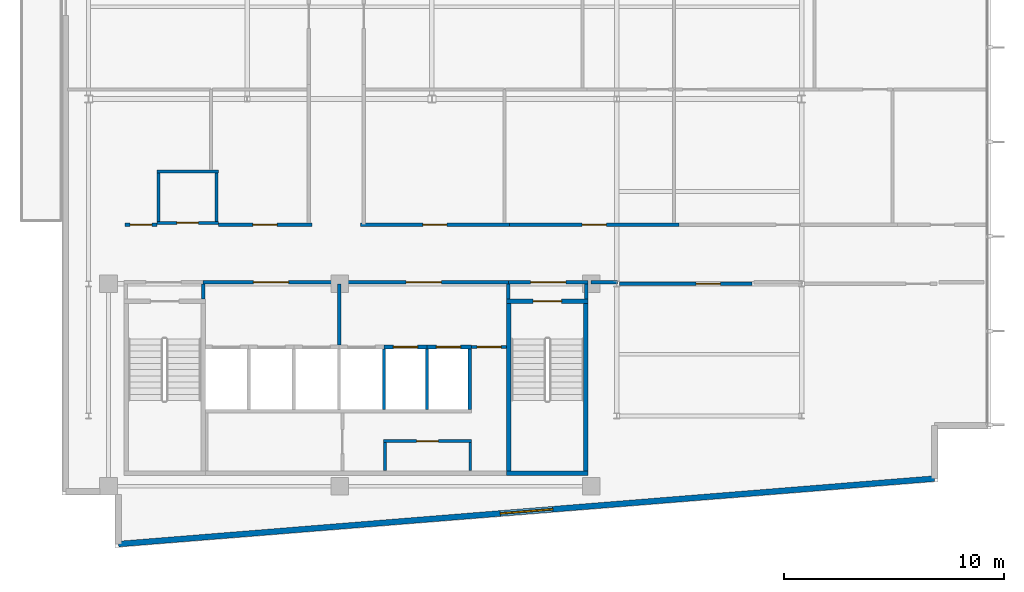
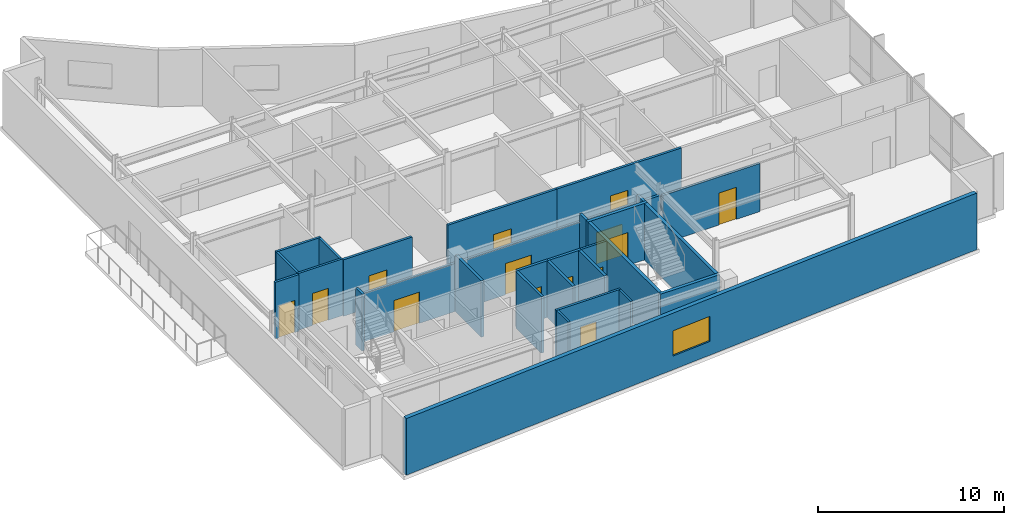
# One storey, part 11 of 16: 31 walls, 14 doors, 1 window, 15 openings.
"""IFC4 building model written with IfcOpenShell, lengths in metres."""

from ifc_helpers import new_model, si_unit, direction, frame, frame_2d, origin, place, context, subcontext, project, spatial, rectangle, extrude, material, layer, layer_set, type_object, element, fill, save


model = new_model("IFC4")

# Units and contexts
model_context = context("Model", 3, precision=1e-05, world=origin(), true_north=direction((0.0, 1.0)))
body_context = subcontext(model_context, "Body", "Model", "MODEL_VIEW")
ifc_project = project(units=[si_unit("LENGTHUNIT", "METRE"), si_unit("AREAUNIT", "SQUARE_METRE"), si_unit("VOLUMEUNIT", "CUBIC_METRE"), si_unit("PLANEANGLEUNIT", "RADIAN"), si_unit("MASSUNIT", "GRAM", prefix="KILO")], contexts=[model_context])

# Site, building, storey
site_placement = place(None, origin())
site = spatial("IfcSite", under=ifc_project, at=site_placement, CompositionType="ELEMENT")
building_placement = place(site_placement, origin())
building = spatial("IfcBuilding", under=site, at=building_placement, Name="Varnakote Quay Hospital", CompositionType="ELEMENT")
storey_placement = place(building_placement, frame((0.0, 0.0, 268.39990234375)))
storey = spatial("IfcBuildingStorey", under=building, at=storey_placement, Name="L66", CompositionType="ELEMENT", Elevation=268.39990234375)

# Wall
ifc_material_1 = material(Name="Fire-rated acoustic gypsum stud wall", Category="gypsum")
ifc_layer_1 = layer(ifc_material_1, 0.159912109375)
ifc_layer_set_1 = layer_set([ifc_layer_1], Name="Fire-rated acoustic gypsum stud wall")
wall_type_1 = type_object("IfcWallType", Name="WL-COMP-160", PredefinedType="PARTITIONING", material=ifc_layer_set_1)
wall_1_placement = place(storey_placement, frame((6.39990234375, 11.300048828125, 0.0), z_axis=(0.0, 0.0, 1.0), x_axis=(0.0, 1.0, 0.0)))
element("IfcWall", 1, at=wall_1_placement, inside=storey, type_object=wall_type_1, Name="L66 Firefighting Lobby West Wall", PredefinedType="PARTITIONING", context=body_context, shape_type="SweptSolid", body=[
    extrude(rectangle(XDim=0.699951171875, YDim=0.159912109375, at=frame_2d((0.35009765625, 0.0))), origin(), (0.0, 0.0, 1.0), 3.710205078125),
])

# Wall, opening, door
wall_2_placement = place(storey_placement, frame((6.39990234375, 12.080078125, 0.0), z_axis=(0.0, 0.0, 1.0), x_axis=(1.0, 0.0, 0.0)))
wall_2 = element("IfcWall", 2, at=wall_2_placement, inside=storey, type_object=wall_type_1, Name="L66 Firefighting Lift Lobby Compartment Wall", PredefinedType="PARTITIONING", context=body_context, shape_type="SweptSolid", body=[
    extrude(rectangle(XDim=6.18017578125, YDim=0.159912109375, at=frame_2d((3.090087890625, 0.0))), origin(), (0.0, 0.0, 1.0), 3.156982421875),
])
opening_1_placement = place(wall_2_placement, frame((2.2900390625, 0.0, 0.0)))
opening_1 = element("IfcOpeningElement", 3, at=opening_1_placement, cuts=wall_2, Name="Opening D-FFL-L66", PredefinedType="OPENING", context=body_context, shape_type="SweptSolid", body=[
    extrude(rectangle(XDim=1.60009765625, YDim=2.050048828125, at=frame_2d((0.800048828125, 1.02490234375))), frame((0.0, 0.08984375, 0.0), z_axis=(0.0, -1.0, 0.0), x_axis=(1.0, 0.0, 0.0)), (0.0, 0.0, 1.0), 0.179931640625),
])
ifc_material_2 = material(Name="Fire-rated double smoke lobby door")
door_type_1 = type_object("IfcDoorType", Name="DR-LOBBY-FD60S-1600x2150", OperationType="NOTDEFINED", PredefinedType="DOOR", material=ifc_material_2)
door_1_placement = place(opening_1_placement, origin())
door_1 = element("IfcDoor", 4, at=door_1_placement, inside=storey, type_object=door_type_1, Name="L66 Firefighting Smoke Vestibule Door", OperationType="DOUBLE_DOOR_SINGLE_SWING", OverallHeight=2.050048828125, OverallWidth=1.60009765625, PredefinedType="DOOR", context=body_context, shape_type="SweptSolid", body=[
    extrude(rectangle(XDim=1.60009765625, YDim=2.050048828125, at=frame_2d((0.800048828125, 1.02490234375))), frame((0.0, 0.02490234375, 0.0), z_axis=(0.0, -1.0, 0.0), x_axis=(1.0, 0.0, 0.0)), (0.0, 0.0, 1.0), 0.050048828125),
])
fill(opening_1, door_1)

# Wall
wall_3_placement = place(storey_placement, frame((12.580078125, 9.2099609375, 0.0), z_axis=(0.0, 0.0, 1.0), x_axis=(0.0, 1.0, 0.0)))
element("IfcWall", 5, at=wall_3_placement, inside=storey, type_object=wall_type_1, Name="L66 Firefighting to Service Lobby Wall", PredefinedType="PARTITIONING", context=body_context, shape_type="SweptSolid", body=[
    extrude(rectangle(XDim=2.7900390625, YDim=0.159912109375, at=frame_2d((1.39501953125, 0.0))), origin(), (0.0, 0.0, 1.0), 3.710205078125),
])

# Wall, opening, door
wall_4_placement = place(storey_placement, frame((12.580078125, 12.080078125, 0.0), z_axis=(0.0, 0.0, 1.0), x_axis=(1.0, 0.0, 0.0)))
wall_4 = element("IfcWall", 6, at=wall_4_placement, inside=storey, type_object=wall_type_1, Name="L66 Clinical Bed Lift Lobby Wall", PredefinedType="PARTITIONING", context=body_context, shape_type="SweptSolid", body=[
    extrude(rectangle(XDim=7.699951171875, YDim=0.159912109375, at=frame_2d((3.85009765625, 0.0))), origin(), (0.0, 0.0, 1.0), 3.156982421875),
])
opening_2_placement = place(wall_4_placement, frame((3.050048828125, 0.0, 0.0)))
opening_2 = element("IfcOpeningElement", 7, at=opening_2_placement, cuts=wall_4, Name="Opening D-SVL-L66", PredefinedType="OPENING", context=body_context, shape_type="SweptSolid", body=[
    extrude(rectangle(XDim=1.60009765625, YDim=2.050048828125, at=frame_2d((0.800048828125, 1.02490234375))), frame((0.0, 0.08984375, 0.0), z_axis=(0.0, -1.0, 0.0), x_axis=(1.0, 0.0, 0.0)), (0.0, 0.0, 1.0), 0.179931640625),
])
door_2_placement = place(opening_2_placement, origin())
door_2 = element("IfcDoor", 8, at=door_2_placement, inside=storey, type_object=door_type_1, Name="L66 Clinical Core Smoke Vestibule Door", OperationType="DOUBLE_DOOR_SINGLE_SWING", OverallHeight=2.050048828125, OverallWidth=1.60009765625, PredefinedType="DOOR", context=body_context, shape_type="SweptSolid", body=[
    extrude(rectangle(XDim=1.60009765625, YDim=2.050048828125, at=frame_2d((0.800048828125, 1.02490234375))), frame((0.0, 0.02490234375, 0.0), z_axis=(0.0, -1.0, 0.0), x_axis=(1.0, 0.0, 0.0)), (0.0, 0.0, 1.0), 0.050048828125),
])
fill(opening_2, door_2)

# Wall
wall_5_placement = place(storey_placement, frame((20.280029296875, 11.300048828125, 0.0), z_axis=(0.0, 0.0, 1.0), x_axis=(0.0, 1.0, 0.0)))
element("IfcWall", 9, at=wall_5_placement, inside=storey, type_object=wall_type_1, Name="L66 East Stair Vestibule Divider Wall", PredefinedType="PARTITIONING", context=body_context, shape_type="SweptSolid", body=[
    extrude(rectangle(XDim=0.699951171875, YDim=0.159912109375, at=frame_2d((0.35009765625, 0.0))), origin(), (0.0, 0.0, 1.0), 3.710205078125),
])

# Wall, opening, door
wall_6_placement = place(storey_placement, frame((20.280029296875, 12.080078125, 0.0), z_axis=(0.0, 0.0, 1.0), x_axis=(1.0, 0.0, 0.0)))
wall_6 = element("IfcWall", 10, at=wall_6_placement, inside=storey, type_object=wall_type_1, Name="L66 East Stair Vestibule Smoke Wall", PredefinedType="PARTITIONING", context=body_context, shape_type="SweptSolid", body=[
    extrude(rectangle(XDim=3.619873046875, YDim=0.159912109375, at=frame_2d((1.81005859375, 0.0))), origin(), (0.0, 0.0, 1.0), 3.156982421875),
])
opening_3_placement = place(wall_6_placement, frame((1.010009765625, 0.0, 0.0)))
opening_3 = element("IfcOpeningElement", 11, at=opening_3_placement, cuts=wall_6, Name="Opening D-ST2L-L66", PredefinedType="OPENING", context=body_context, shape_type="SweptSolid", body=[
    extrude(rectangle(XDim=1.60009765625, YDim=2.050048828125, at=frame_2d((0.800048828125, 1.02490234375))), frame((0.0, 0.08984375, 0.0), z_axis=(0.0, -1.0, 0.0), x_axis=(1.0, 0.0, 0.0)), (0.0, 0.0, 1.0), 0.179931640625),
])
door_3_placement = place(opening_3_placement, origin())
door_3 = element("IfcDoor", 12, at=door_3_placement, inside=storey, type_object=door_type_1, Name="L66 East Stair Vestibule Smoke Door", OperationType="DOUBLE_DOOR_SINGLE_SWING", OverallHeight=2.050048828125, OverallWidth=1.60009765625, PredefinedType="DOOR", context=body_context, shape_type="SweptSolid", body=[
    extrude(rectangle(XDim=1.60009765625, YDim=2.050048828125, at=frame_2d((0.800048828125, 1.02490234375))), frame((0.0, 0.02490234375, 0.0), z_axis=(0.0, -1.0, 0.0), x_axis=(1.0, 0.0, 0.0)), (0.0, 0.0, 1.0), 0.050048828125),
])
fill(opening_3, door_3)

# Walls
wall_7_placement = place(storey_placement, frame((23.820068359375, 11.300048828125, 0.0), z_axis=(0.0, 0.0, 1.0), x_axis=(0.0, 1.0, 0.0)))
element("IfcWall", 13, at=wall_7_placement, inside=storey, type_object=wall_type_1, Name="L66 East Stair Vestibule East Wall", PredefinedType="PARTITIONING", context=body_context, shape_type="SweptSolid", body=[
    extrude(rectangle(XDim=0.699951171875, YDim=0.159912109375, at=frame_2d((0.35009765625, 0.0))), origin(), (0.0, 0.0, 1.0), 3.710205078125),
])
wall_8_placement = place(storey_placement, frame((24.02001953125, 12.080078125, 0.0), z_axis=(0.0, 0.0, 1.0), x_axis=(1.0, 0.0, 0.0)))
element("IfcWall", 14, at=wall_8_placement, inside=storey, type_object=wall_type_1, Name="L66 Corridor South Gap Wall", PredefinedType="PARTITIONING", context=body_context, shape_type="SweptSolid", body=[
    extrude(rectangle(XDim=1.2177734375, YDim=0.159912109375, at=frame_2d((0.60888671875, 0.0))), origin(), (0.0, 0.0, 1.0), 3.156982421875),
])

# Wall, opening, window
ifc_material_3 = material(Name="Precast concrete N50 (f'c 50 MPa)", Category="concrete")
ifc_layer_2 = layer(ifc_material_3, 0.260009765625)
ifc_layer_set_2 = layer_set([ifc_layer_2], Name="Precast concrete N50 (f'c 50 MPa)")
wall_type_2 = type_object("IfcWallType", Name="WL-EXT-BRICK-260", PredefinedType="STANDARD", material=ifc_layer_set_2)
wall_9_placement = place(storey_placement, frame((2.56005859375, 0.17333984375, 0.0), z_axis=(0.0, 0.0, 1.0), x_axis=(0.996798206282, 0.079958338856, 0.0)))
wall_9 = element("IfcWall", 15, at=wall_9_placement, inside=storey, type_object=wall_type_2, Name="L66 Brick-Faced Precast Exterior Wall", PredefinedType="STANDARD", context=body_context, shape_type="SweptSolid", body=[
    extrude(rectangle(XDim=37.198974609375, YDim=0.260009765625, at=frame_2d((18.599609375, 0.0))), origin(), (0.0, 0.0, 1.0), 3.710205078125),
])
opening_4_placement = place(wall_9_placement, frame((17.399658203125, 0.0, 0.89990234375)))
opening_4 = element("IfcOpeningElement", 16, at=opening_4_placement, cuts=wall_9, Name="Opening WN-0266", PredefinedType="OPENING", context=body_context, shape_type="SweptSolid", body=[
    extrude(rectangle(XDim=2.39990234375, YDim=1.64990234375, at=frame_2d((1.199951171875, 0.824951171875))), frame((0.0, 0.139892578125, 0.0), z_axis=(0.0, -1.0, 0.0), x_axis=(1.0, 0.0, 0.0)), (0.0, 0.0, 1.0), 0.280029296875),
])
ifc_material_4 = material(Name="Double-glazed low-E solar glass", Category="glass")
window_type = type_object("IfcWindowType", Name="WIN-CLIN-2400x1650", PartitioningType="SINGLE_PANEL", PredefinedType="WINDOW", material=ifc_material_4)
window_placement = place(opening_4_placement, origin())
window = element("IfcWindow", 17, at=window_placement, inside=storey, type_object=window_type, Name="L66 Solar-Control Clinical Window", OverallHeight=1.64990234375, OverallWidth=2.39990234375, PartitioningType="SINGLE_PANEL", PredefinedType="WINDOW", context=body_context, shape_type="SweptSolid", body=[
    extrude(rectangle(XDim=2.39990234375, YDim=1.64990234375, at=frame_2d((1.199951171875, 0.824951171875))), frame((0.0, 0.030029296875, 0.0), z_axis=(0.0, -1.0, 0.0), x_axis=(1.0, 0.0, 0.0)), (0.0, 0.0, 1.0), 0.06005859375),
])
fill(opening_4, window)

# Walls
ifc_material_5 = material(Name="Concrete N50 (f'c 50 MPa)", Category="concrete")
ifc_layer_3 = layer(ifc_material_5, 0.14990234375)
ifc_layer_set_3 = layer_set([ifc_layer_3], Name="Concrete N50 (f'c 50 MPa)")
wall_type_3 = type_object("IfcWallType", Name="WL-SHAFT-N50-150", PredefinedType="SHEAR", material=ifc_layer_set_3)
for number, where, z_axis, x_axis, name in (
    (18, (14.625, 6.300048828125, 0.0), (0.0, 0.0, 1.0), (0.0, 1.0, 0.0), "L66 LF-SV2 Hoistway Divider Wall"),
    (19, (16.574951171875, 6.300048828125, 0.0), (0.0, 0.0, 1.0), (0.0, 1.0, 0.0), "L66 LF-PH1 Hoistway Divider Wall"),
):
    element("IfcWall", number, at=place(storey_placement, frame(where, z_axis=z_axis, x_axis=x_axis)), inside=storey, type_object=wall_type_3, Name=name, PredefinedType="SHEAR", context=body_context, shape_type="SweptSolid", body=[
        extrude(rectangle(XDim=2.75, YDim=0.14990234375, at=frame_2d((1.375, 0.0))), origin(), (0.0, 0.0, 1.0), 3.710205078125),
    ])
ifc_material_6 = material(Name="Concrete N50 (f'c 50 MPa)", Category="concrete")
ifc_layer_4 = layer(ifc_material_6, 0.159912109375)
ifc_layer_set_4 = layer_set([ifc_layer_4], Name="Concrete N50 (f'c 50 MPa)")
wall_type_4 = type_object("IfcWallType", Name="WL-SHAFT-N50-160", PredefinedType="SHEAR", material=ifc_layer_set_4)
wall_10_placement = place(storey_placement, frame((18.530029296875, 6.300048828125, 0.0), z_axis=(0.0, 0.0, 1.0), x_axis=(0.0, 1.0, 0.0)))
element("IfcWall", 20, at=wall_10_placement, inside=storey, type_object=wall_type_4, Name="L66 REAR Lift Bank East Shear Wall", PredefinedType="SHEAR", context=body_context, shape_type="SweptSolid", body=[
    extrude(rectangle(XDim=2.75, YDim=0.159912109375, at=frame_2d((1.375, 0.0))), origin(), (0.0, 0.0, 1.0), 3.710205078125),
])

# Wall, opening, door
wall_11_placement = place(storey_placement, frame((14.625, 9.1298828125, 0.0), z_axis=(0.0, 0.0, 1.0), x_axis=(1.0, 0.0, 0.0)))
wall_11 = element("IfcWall", 21, at=wall_11_placement, inside=storey, type_object=wall_type_4, Name="L66 LF-PH1 Hoistway Front Wall", PredefinedType="SHEAR", context=body_context, shape_type="SweptSolid", body=[
    extrude(rectangle(XDim=1.949951171875, YDim=0.159912109375, at=frame_2d((0.97509765625, 0.0))), origin(), (0.0, 0.0, 1.0), 3.710205078125),
])
opening_5_placement = place(wall_11_placement, frame((0.425048828125, 0.0, 0.0)))
opening_5 = element("IfcOpeningElement", 22, at=opening_5_placement, cuts=wall_11, Name="Opening LD-PH1-L66", PredefinedType="OPENING", context=body_context, shape_type="SweptSolid", body=[
    extrude(rectangle(XDim=1.10009765625, YDim=2.14990234375, at=frame_2d((0.550048828125, 1.074951171875))), frame((0.0, 0.08984375, 0.0), z_axis=(0.0, -1.0, 0.0), x_axis=(1.0, 0.0, 0.0)), (0.0, 0.0, 1.0), 0.179931640625),
])
ifc_material_7 = material(Name="Brushed bronze lift landing sliding door")
door_type_2 = type_object("IfcDoorType", Name="DR-LIFT-LD-1100x2150", OperationType="NOTDEFINED", PredefinedType="DOOR", material=ifc_material_7)
door_4_placement = place(opening_5_placement, origin())
door_4 = element("IfcDoor", 23, at=door_4_placement, inside=storey, type_object=door_type_2, Name="L66 LF-PH1 Lift Landing Sliding Door", OperationType="SLIDING_TO_LEFT", OverallHeight=2.14990234375, OverallWidth=1.10009765625, PredefinedType="DOOR", context=body_context, shape_type="SweptSolid", body=[
    extrude(rectangle(XDim=1.10009765625, YDim=2.14990234375, at=frame_2d((0.550048828125, 1.074951171875))), frame((0.0, 0.02490234375, 0.0), z_axis=(0.0, -1.0, 0.0), x_axis=(1.0, 0.0, 0.0)), (0.0, 0.0, 1.0), 0.050048828125),
])
fill(opening_5, door_4)

wall_12_placement = place(storey_placement, frame((16.574951171875, 9.1298828125, 0.0), z_axis=(0.0, 0.0, 1.0), x_axis=(1.0, 0.0, 0.0)))
wall_12 = element("IfcWall", 24, at=wall_12_placement, inside=storey, type_object=wall_type_4, Name="L66 LF-PH2 Hoistway Front Wall", PredefinedType="SHEAR", context=body_context, shape_type="SweptSolid", body=[
    extrude(rectangle(XDim=2.03515625, YDim=0.159912109375, at=frame_2d((1.017578125, 0.0))), origin(), (0.0, 0.0, 1.0), 3.710205078125),
])
opening_6_placement = place(wall_12_placement, frame((0.425048828125, 0.0, 0.0)))
opening_6 = element("IfcOpeningElement", 25, at=opening_6_placement, cuts=wall_12, Name="Opening LD-PH2-L66", PredefinedType="OPENING", context=body_context, shape_type="SweptSolid", body=[
    extrude(rectangle(XDim=1.10009765625, YDim=2.14990234375, at=frame_2d((0.550048828125, 1.074951171875))), frame((0.0, 0.08984375, 0.0), z_axis=(0.0, -1.0, 0.0), x_axis=(1.0, 0.0, 0.0)), (0.0, 0.0, 1.0), 0.179931640625),
])
door_5_placement = place(opening_6_placement, origin())
door_5 = element("IfcDoor", 26, at=door_5_placement, inside=storey, type_object=door_type_2, Name="L66 LF-PH2 Lift Landing Sliding Door", OperationType="SLIDING_TO_LEFT", OverallHeight=2.14990234375, OverallWidth=1.10009765625, PredefinedType="DOOR", context=body_context, shape_type="SweptSolid", body=[
    extrude(rectangle(XDim=1.10009765625, YDim=2.14990234375, at=frame_2d((0.550048828125, 1.074951171875))), frame((0.0, 0.02490234375, 0.0), z_axis=(0.0, -1.0, 0.0), x_axis=(1.0, 0.0, 0.0)), (0.0, 0.0, 1.0), 0.050048828125),
])
fill(opening_6, door_5)

# Walls
ifc_material_8 = material(Name="Concrete N50 (f'c 50 MPa)", Category="concrete")
ifc_layer_5 = layer(ifc_material_8, 0.199951171875)
ifc_layer_set_5 = layer_set([ifc_layer_5], Name="Concrete N50 (f'c 50 MPa)")
wall_type_5 = type_object("IfcWallType", Name="WL-SHAFT-N50-200", PredefinedType="SHEAR", material=ifc_layer_set_5)
wall_13_placement = place(storey_placement, frame((20.199951171875, 3.39990234375, 0.0), z_axis=(0.0, 0.0, 1.0), x_axis=(1.0, 0.0, 0.0)))
element("IfcWall", 27, at=wall_13_placement, inside=storey, type_object=wall_type_5, Name="L66 Stair ST2 South Shaft Wall", PredefinedType="SHEAR", context=body_context, shape_type="SweptSolid", body=[
    extrude(rectangle(XDim=3.699951171875, YDim=0.199951171875, at=frame_2d((1.85009765625, 0.0))), origin(), (0.0, 0.0, 1.0), 3.710205078125),
])
for number, where, z_axis, x_axis, name in (
    (28, (20.300048828125, 3.5, 0.0), (0.0, 0.0, 1.0), (0.0, 1.0, 0.0), "L66 Stair ST2 West Shaft Wall"),
    (29, (23.800048828125, 3.5, 0.0), (0.0, 0.0, 1.0), (0.0, 1.0, 0.0), "L66 Stair ST2 East Shaft Wall"),
):
    element("IfcWall", number, at=place(storey_placement, frame(where, z_axis=z_axis, x_axis=x_axis)), inside=storey, type_object=wall_type_5, Name=name, PredefinedType="SHEAR", context=body_context, shape_type="SweptSolid", body=[
        extrude(rectangle(XDim=7.60009765625, YDim=0.199951171875, at=frame_2d((3.800048828125, 0.0))), origin(), (0.0, 0.0, 1.0), 3.710205078125),
    ])

# Wall, opening, door
wall_14_placement = place(storey_placement, frame((20.199951171875, 11.199951171875, 0.0), z_axis=(0.0, 0.0, 1.0), x_axis=(1.0, 0.0, 0.0)))
wall_14 = element("IfcWall", 30, at=wall_14_placement, inside=storey, type_object=wall_type_5, Name="L66 Stair ST2 Exit Wall", PredefinedType="SHEAR", context=body_context, shape_type="SweptSolid", body=[
    extrude(rectangle(XDim=3.699951171875, YDim=0.199951171875, at=frame_2d((1.85009765625, 0.0))), origin(), (0.0, 0.0, 1.0), 3.710205078125),
])
opening_7_placement = place(wall_14_placement, frame((1.199951171875, 0.0, 0.0)))
opening_7 = element("IfcOpeningElement", 31, at=opening_7_placement, cuts=wall_14, Name="Opening D-ST2-L66", PredefinedType="OPENING", context=body_context, shape_type="SweptSolid", body=[
    extrude(rectangle(XDim=1.300048828125, YDim=2.14990234375, at=frame_2d((0.64990234375, 1.074951171875))), frame((0.0, 0.10986328125, 0.0), z_axis=(0.0, -1.0, 0.0), x_axis=(1.0, 0.0, 0.0)), (0.0, 0.0, 1.0), 0.219970703125),
])
ifc_material_9 = material(Name="Fire-rated ceramic-glazed timber exit door", Category="wood")
door_type_3 = type_object("IfcDoorType", Name="DR-STAIR-FD60S-1300x2150", OperationType="NOTDEFINED", PredefinedType="DOOR", material=ifc_material_9)
door_6_placement = place(opening_7_placement, origin())
door_6 = element("IfcDoor", 32, at=door_6_placement, inside=storey, type_object=door_type_3, Name="L66 Stair ST2 Fire Exit Door", OperationType="SINGLE_SWING_RIGHT", OverallHeight=2.14990234375, OverallWidth=1.300048828125, PredefinedType="DOOR", context=body_context, shape_type="SweptSolid", body=[
    extrude(rectangle(XDim=1.300048828125, YDim=2.14990234375, at=frame_2d((0.64990234375, 1.074951171875))), frame((0.0, 0.02490234375, 0.0), z_axis=(0.0, -1.0, 0.0), x_axis=(1.0, 0.0, 0.0)), (0.0, 0.0, 1.0), 0.050048828125),
])
fill(opening_7, door_6)

# Walls
ifc_material_10 = material(Name="Smoke-proof clinical partition", Category="gypsum")
ifc_layer_6 = layer(ifc_material_10, 0.1201171875)
ifc_layer_set_6 = layer_set([ifc_layer_6], Name="Smoke-proof clinical partition")
wall_type_6 = type_object("IfcWallType", Name="WL-SMOKE-120", PredefinedType="PARTITIONING", material=ifc_layer_set_6)
for number, where, z_axis, x_axis, name in (
    (33, (14.669921875, 3.52001953125, 0.0), (0.0, 0.0, 1.0), (0.0, 1.0, 0.0), "L66 Core WC West Wall"),
    (34, (18.5400390625, 3.52001953125, 0.0), (0.0, 0.0, 1.0), (0.0, 1.0, 0.0), "L66 Core WC East Wall"),
):
    element("IfcWall", number, at=place(storey_placement, frame(where, z_axis=z_axis, x_axis=x_axis)), inside=storey, type_object=wall_type_6, Name=name, PredefinedType="PARTITIONING", context=body_context, shape_type="SweptSolid", body=[
        extrude(rectangle(XDim=1.260009765625, YDim=0.1201171875, at=frame_2d((0.6298828125, 0.0))), origin(), (0.0, 0.0, 1.0), 3.710205078125),
    ])

# Wall, opening, door
ifc_material_11 = material(Name="Fire-rated clinical gypsum partition", Category="gypsum")
ifc_layer_7 = layer(ifc_material_11, 0.139892578125)
ifc_layer_set_7 = layer_set([ifc_layer_7], Name="Fire-rated clinical gypsum partition")
wall_type_7 = type_object("IfcWallType", Name="WL-WARD-140", PredefinedType="PARTITIONING", material=ifc_layer_set_7)
wall_15_placement = place(storey_placement, frame((14.60009765625, 4.85009765625, 0.0), z_axis=(0.0, 0.0, 1.0), x_axis=(1.0, 0.0, 0.0)))
wall_15 = element("IfcWall", 35, at=wall_15_placement, inside=storey, type_object=wall_type_7, Name="L66 Core Staff Sanitary WC North Wall", PredefinedType="PARTITIONING", context=body_context, shape_type="SweptSolid", body=[
    extrude(rectangle(XDim=4.0, YDim=0.139892578125, at=frame_2d((2.0, 0.0))), origin(), (0.0, 0.0, 1.0), 3.710205078125),
])
opening_8_placement = place(wall_15_placement, frame((1.510009765625, 0.0, 0.0)))
opening_8 = element("IfcOpeningElement", 36, at=opening_8_placement, cuts=wall_15, Name="Opening D-L66-CR02", PredefinedType="OPENING", context=body_context, shape_type="SweptSolid", body=[
    extrude(rectangle(XDim=0.97998046875, YDim=2.10009765625, at=frame_2d((0.489990234375, 1.050048828125))), frame((0.0, 0.079833984375, 0.0), z_axis=(0.0, -1.0, 0.0), x_axis=(1.0, 0.0, 0.0)), (0.0, 0.0, 1.0), 0.159912109375),
])
ifc_material_12 = material(Name="Accessible sanitary compartment door")
door_type_4 = type_object("IfcDoorType", Name="DR-WC-980x2100", OperationType="NOTDEFINED", PredefinedType="DOOR", material=ifc_material_12)
door_7_placement = place(opening_8_placement, origin())
door_7 = element("IfcDoor", 37, at=door_7_placement, inside=storey, type_object=door_type_4, Name="L66 Core Staff Sanitary WC Door", OperationType="SINGLE_SWING_RIGHT", OverallHeight=2.10009765625, OverallWidth=0.97998046875, PredefinedType="DOOR", context=body_context, shape_type="SweptSolid", body=[
    extrude(rectangle(XDim=0.97998046875, YDim=2.10009765625, at=frame_2d((0.489990234375, 1.050048828125))), frame((0.0, 0.02490234375, 0.0), z_axis=(0.0, -1.0, 0.0), x_axis=(1.0, 0.0, 0.0)), (0.0, 0.0, 1.0), 0.050048828125),
])
fill(opening_8, door_7)

wall_16_placement = place(storey_placement, frame((18.610107421875, 9.1298828125, 0.0), z_axis=(0.0, 0.0, 1.0), x_axis=(1.0, 0.0, 0.0)))
wall_16 = element("IfcWall", 38, at=wall_16_placement, inside=storey, type_object=wall_type_7, Name="L66 Core Service Corridor North Door Wall", PredefinedType="PARTITIONING", context=body_context, shape_type="SweptSolid", body=[
    extrude(rectangle(XDim=1.58984375, YDim=0.139892578125, at=frame_2d((0.794921875, 0.0))), origin(), (0.0, 0.0, 1.0), 3.710205078125),
])
opening_9_placement = place(wall_16_placement, frame((0.239990234375, 0.0, 0.0)))
opening_9 = element("IfcOpeningElement", 39, at=opening_9_placement, cuts=wall_16, Name="Opening D-CSRV-L66", PredefinedType="OPENING", context=body_context, shape_type="SweptSolid", body=[
    extrude(rectangle(XDim=1.10009765625, YDim=2.10009765625, at=frame_2d((0.550048828125, 1.050048828125))), frame((0.0, 0.079833984375, 0.0), z_axis=(0.0, -1.0, 0.0), x_axis=(1.0, 0.0, 0.0)), (0.0, 0.0, 1.0), 0.159912109375),
])
ifc_material_13 = material(Name="Acoustic timber clinical consult door", Category="wood")
door_type_5 = type_object("IfcDoorType", Name="DR-CLIN-FD30S-1100x2100", OperationType="NOTDEFINED", PredefinedType="DOOR", material=ifc_material_13)
door_8_placement = place(opening_9_placement, origin())
door_8 = element("IfcDoor", 40, at=door_8_placement, inside=storey, type_object=door_type_5, Name="L66 Core Service Corridor Door", OperationType="SINGLE_SWING_LEFT", OverallHeight=2.10009765625, OverallWidth=1.10009765625, PredefinedType="DOOR", context=body_context, shape_type="SweptSolid", body=[
    extrude(rectangle(XDim=1.10009765625, YDim=2.10009765625, at=frame_2d((0.550048828125, 1.050048828125))), frame((0.0, 0.02490234375, 0.0), z_axis=(0.0, -1.0, 0.0), x_axis=(1.0, 0.0, 0.0)), (0.0, 0.0, 1.0), 0.050048828125),
])
fill(opening_9, door_8)

wall_17_placement = place(storey_placement, frame((4.31005859375, 14.77001953125, 0.0), z_axis=(0.0, 0.0, 1.0), x_axis=(1.0, 0.0, 0.0)))
wall_17 = element("IfcWall", 41, at=wall_17_placement, inside=storey, type_object=wall_type_7, Name="L66 Floor Unisex Accessible WC S Wall", PredefinedType="PARTITIONING", context=body_context, shape_type="SweptSolid", body=[
    extrude(rectangle(XDim=2.780029296875, YDim=0.139892578125, at=frame_2d((1.39013671875, 0.0))), origin(), (0.0, 0.0, 1.0), 3.710205078125),
])
opening_10_placement = place(wall_17_placement, frame((0.89990234375, 0.0, 0.0)))
opening_10 = element("IfcOpeningElement", 42, at=opening_10_placement, cuts=wall_17, Name="Opening D-L66-EW01", PredefinedType="OPENING", context=body_context, shape_type="SweptSolid", body=[
    extrude(rectangle(XDim=0.97998046875, YDim=2.10009765625, at=frame_2d((0.489990234375, 1.050048828125))), frame((0.0, 0.079833984375, 0.0), z_axis=(0.0, -1.0, 0.0), x_axis=(1.0, 0.0, 0.0)), (0.0, 0.0, 1.0), 0.159912109375),
])
door_9_placement = place(opening_10_placement, origin())
door_9 = element("IfcDoor", 43, at=door_9_placement, inside=storey, type_object=door_type_4, Name="L66 Floor Unisex Accessible WC Door", OperationType="SINGLE_SWING_RIGHT", OverallHeight=2.10009765625, OverallWidth=0.97998046875, PredefinedType="DOOR", context=body_context, shape_type="SweptSolid", body=[
    extrude(rectangle(XDim=0.97998046875, YDim=2.10009765625, at=frame_2d((0.489990234375, 1.050048828125))), frame((0.0, 0.02490234375, 0.0), z_axis=(0.0, -1.0, 0.0), x_axis=(1.0, 0.0, 0.0)), (0.0, 0.0, 1.0), 0.050048828125),
])
fill(opening_10, door_9)

# Walls
wall_18_placement = place(storey_placement, frame((4.31005859375, 17.110107421875, 0.0), z_axis=(0.0, 0.0, 1.0), x_axis=(1.0, 0.0, 0.0)))
element("IfcWall", 44, at=wall_18_placement, inside=storey, type_object=wall_type_7, Name="L66 Floor Unisex Accessible WC N Wall", PredefinedType="PARTITIONING", context=body_context, shape_type="SweptSolid", body=[
    extrude(rectangle(XDim=2.780029296875, YDim=0.139892578125, at=frame_2d((1.39013671875, 0.0))), origin(), (0.0, 0.0, 1.0), 3.710205078125),
])
for number, where, z_axis, x_axis, name in (
    (45, (4.3798828125, 14.840087890625, 0.0), (0.0, 0.0, 1.0), (0.0, 1.0, 0.0), "L66 Floor Unisex Accessible WC W Wall"),
    (46, (7.02001953125, 14.840087890625, 0.0), (0.0, 0.0, 1.0), (0.0, 1.0, 0.0), "L66 Floor Unisex Accessible WC E Wall"),
):
    element("IfcWall", number, at=place(storey_placement, frame(where, z_axis=z_axis, x_axis=x_axis)), inside=storey, type_object=wall_type_7, Name=name, PredefinedType="PARTITIONING", context=body_context, shape_type="SweptSolid", body=[
        extrude(rectangle(XDim=2.199951171875, YDim=0.139892578125, at=frame_2d((1.10009765625, 0.0))), origin(), (0.0, 0.0, 1.0), 3.710205078125),
    ])

# Wall, opening, door
ifc_material_14 = material(Name="Fire-rated clinical gypsum partition", Category="gypsum")
ifc_layer_8 = layer(ifc_material_14, 0.14990234375)
ifc_layer_set_8 = layer_set([ifc_layer_8], Name="Fire-rated clinical gypsum partition")
wall_type_8 = type_object("IfcWallType", Name="WL-WARD-150", PredefinedType="PARTITIONING", material=ifc_layer_set_8)
wall_19_placement = place(storey_placement, frame((31.35009765625, 12.0, 0.0), z_axis=(0.0, 0.0, 1.0), x_axis=(-1.0, 0.0, 0.0)))
wall_19 = element("IfcWall", 47, at=wall_19_placement, inside=storey, type_object=wall_type_8, Name="L66 Clinical Interior Partition", PredefinedType="PARTITIONING", context=body_context, shape_type="SweptSolid", body=[
    extrude(rectangle(XDim=6.023193359375, YDim=0.14990234375, at=frame_2d((3.01171875, 0.0))), origin(), (0.0, 0.0, 1.0), 3.156982421875),
])
opening_11_placement = place(wall_19_placement, frame((1.44384765625, 0.0, 0.0)))
opening_11 = element("IfcOpeningElement", 48, at=opening_11_placement, cuts=wall_19, Name="Opening D-L66-RL1", PredefinedType="OPENING", context=body_context, shape_type="SweptSolid", body=[
    extrude(rectangle(XDim=1.10009765625, YDim=2.10009765625, at=frame_2d((0.550048828125, 1.050048828125))), frame((0.0, 0.0849609375, 0.0), z_axis=(0.0, -1.0, 0.0), x_axis=(1.0, 0.0, 0.0)), (0.0, 0.0, 1.0), 0.169921875),
])
door_10_placement = place(opening_11_placement, origin())
door_10 = element("IfcDoor", 49, at=door_10_placement, inside=storey, type_object=door_type_5, Name="L66 Day Infusion Treatment Suite Door", OperationType="SINGLE_SWING_LEFT", OverallHeight=2.10009765625, OverallWidth=1.10009765625, PredefinedType="DOOR", context=body_context, shape_type="SweptSolid", body=[
    extrude(rectangle(XDim=1.10009765625, YDim=2.10009765625, at=frame_2d((0.550048828125, 1.050048828125))), frame((0.0, 0.02490234375, 0.0), z_axis=(0.0, -1.0, 0.0), x_axis=(1.0, 0.0, 0.0)), (0.0, 0.0, 1.0), 0.050048828125),
])
fill(opening_11, door_10)

wall_20_placement = place(storey_placement, frame((4.30810546875, 14.679931640625, 0.0), z_axis=(0.0, 0.0, 1.0), x_axis=(-1.0, 0.0, 0.0)))
wall_20 = element("IfcWall", 50, at=wall_20_placement, inside=storey, type_object=wall_type_8, Name="L66 Clinical Interior Partition", PredefinedType="PARTITIONING", context=body_context, shape_type="SweptSolid", body=[
    extrude(rectangle(XDim=1.4580078125, YDim=0.14990234375, at=frame_2d((0.72900390625, 0.0))), origin(), (0.0, 0.0, 1.0), 3.710205078125),
])
opening_12_placement = place(wall_20_placement, frame((0.239013671875, 0.0, 0.0)))
opening_12 = element("IfcOpeningElement", 51, at=opening_12_placement, cuts=wall_20, Name="Opening D-L66-DLNG", PredefinedType="OPENING", context=body_context, shape_type="SweptSolid", body=[
    extrude(rectangle(XDim=0.97998046875, YDim=2.10009765625, at=frame_2d((0.489990234375, 1.050048828125))), frame((0.0, 0.0849609375, 0.0), z_axis=(0.0, -1.0, 0.0), x_axis=(1.0, 0.0, 0.0)), (0.0, 0.0, 1.0), 0.169921875),
])
door_11_placement = place(opening_12_placement, origin())
door_11 = element("IfcDoor", 52, at=door_11_placement, inside=storey, type_object=door_type_4, Name="L66 Waterfront Patient & Family Dayroom Door", OperationType="SINGLE_SWING_LEFT", OverallHeight=2.10009765625, OverallWidth=0.97998046875, PredefinedType="DOOR", context=body_context, shape_type="SweptSolid", body=[
    extrude(rectangle(XDim=0.97998046875, YDim=2.10009765625, at=frame_2d((0.489990234375, 1.050048828125))), frame((0.0, 0.02490234375, 0.0), z_axis=(0.0, -1.0, 0.0), x_axis=(1.0, 0.0, 0.0)), (0.0, 0.0, 1.0), 0.050048828125),
])
fill(opening_12, door_11)

wall_21_placement = place(storey_placement, frame((11.345947265625, 14.679931640625, 0.0), z_axis=(0.0, 0.0, 1.0), x_axis=(-1.0, 0.0, 0.0)))
wall_21 = element("IfcWall", 53, at=wall_21_placement, inside=storey, type_object=wall_type_8, Name="L66 Clinical Interior Partition", PredefinedType="PARTITIONING", context=body_context, shape_type="SweptSolid", body=[
    extrude(rectangle(XDim=4.25390625, YDim=0.14990234375, at=frame_2d((2.126953125, 0.0))), origin(), (0.0, 0.0, 1.0), 3.710205078125),
])
opening_13_placement = place(wall_21_placement, frame((1.576904296875, 0.0, 0.0)))
opening_13 = element("IfcOpeningElement", 54, at=opening_13_placement, cuts=wall_21, Name="Opening D-L66-MD01", PredefinedType="OPENING", context=body_context, shape_type="SweptSolid", body=[
    extrude(rectangle(XDim=1.10009765625, YDim=2.10009765625, at=frame_2d((0.550048828125, 1.050048828125))), frame((0.0, 0.0849609375, 0.0), z_axis=(0.0, -1.0, 0.0), x_axis=(1.0, 0.0, 0.0)), (0.0, 0.0, 1.0), 0.169921875),
])
door_12_placement = place(opening_13_placement, origin())
door_12 = element("IfcDoor", 55, at=door_12_placement, inside=storey, type_object=door_type_5, Name="L66 Day Procedure Treatment Suite Door", OperationType="SINGLE_SWING_RIGHT", OverallHeight=2.10009765625, OverallWidth=1.10009765625, PredefinedType="DOOR", context=body_context, shape_type="SweptSolid", body=[
    extrude(rectangle(XDim=1.10009765625, YDim=2.10009765625, at=frame_2d((0.550048828125, 1.050048828125))), frame((0.0, 0.02490234375, 0.0), z_axis=(0.0, -1.0, 0.0), x_axis=(1.0, 0.0, 0.0)), (0.0, 0.0, 1.0), 0.050048828125),
])
fill(opening_13, door_12)

wall_22_placement = place(storey_placement, frame((20.31591796875, 14.679931640625, 0.0), z_axis=(0.0, 0.0, 1.0), x_axis=(-1.0, 0.0, 0.0)))
wall_22 = element("IfcWall", 56, at=wall_22_placement, inside=storey, type_object=wall_type_8, Name="L66 Clinical Interior Partition", PredefinedType="PARTITIONING", context=body_context, shape_type="SweptSolid", body=[
    extrude(rectangle(XDim=6.761962890625, YDim=0.14990234375, at=frame_2d((3.380859375, 0.0))), origin(), (0.0, 0.0, 1.0), 3.710205078125),
])
opening_14_placement = place(wall_22_placement, frame((2.8310546875, 0.0, 0.0)))
opening_14 = element("IfcOpeningElement", 57, at=opening_14_placement, cuts=wall_22, Name="Opening D-L66-MD02", PredefinedType="OPENING", context=body_context, shape_type="SweptSolid", body=[
    extrude(rectangle(XDim=1.10009765625, YDim=2.10009765625, at=frame_2d((0.550048828125, 1.050048828125))), frame((0.0, 0.0849609375, 0.0), z_axis=(0.0, -1.0, 0.0), x_axis=(1.0, 0.0, 0.0)), (0.0, 0.0, 1.0), 0.169921875),
])
door_13_placement = place(opening_14_placement, origin())
door_13 = element("IfcDoor", 58, at=door_13_placement, inside=storey, type_object=door_type_5, Name="L66 Endoscopy Infusion Treatment Suite Door", OperationType="SINGLE_SWING_LEFT", OverallHeight=2.10009765625, OverallWidth=1.10009765625, PredefinedType="DOOR", context=body_context, shape_type="SweptSolid", body=[
    extrude(rectangle(XDim=1.10009765625, YDim=2.10009765625, at=frame_2d((0.550048828125, 1.050048828125))), frame((0.0, 0.02490234375, 0.0), z_axis=(0.0, -1.0, 0.0), x_axis=(1.0, 0.0, 0.0)), (0.0, 0.0, 1.0), 0.050048828125),
])
fill(opening_14, door_13)

wall_23_placement = place(storey_placement, frame((28.035888671875, 14.679931640625, 0.0), z_axis=(0.0, 0.0, 1.0), x_axis=(-1.0, 0.0, 0.0)))
wall_23 = element("IfcWall", 59, at=wall_23_placement, inside=storey, type_object=wall_type_8, Name="L66 Clinical Interior Partition", PredefinedType="PARTITIONING", context=body_context, shape_type="SweptSolid", body=[
    extrude(rectangle(XDim=7.7177734375, YDim=0.14990234375, at=frame_2d((3.85888671875, 0.0))), origin(), (0.0, 0.0, 1.0), 3.710205078125),
])
opening_15_placement = place(wall_23_placement, frame((3.30908203125, 0.0, 0.0)))
opening_15 = element("IfcOpeningElement", 60, at=opening_15_placement, cuts=wall_23, Name="Opening D-L66-MD03", PredefinedType="OPENING", context=body_context, shape_type="SweptSolid", body=[
    extrude(rectangle(XDim=1.10009765625, YDim=2.10009765625, at=frame_2d((0.550048828125, 1.050048828125))), frame((0.0, 0.0849609375, 0.0), z_axis=(0.0, -1.0, 0.0), x_axis=(1.0, 0.0, 0.0)), (0.0, 0.0, 1.0), 0.169921875),
])
door_14_placement = place(opening_15_placement, origin())
door_14 = element("IfcDoor", 61, at=door_14_placement, inside=storey, type_object=door_type_5, Name="L66 Ward Preparation Pantry Door", OperationType="SINGLE_SWING_RIGHT", OverallHeight=2.10009765625, OverallWidth=1.10009765625, PredefinedType="DOOR", context=body_context, shape_type="SweptSolid", body=[
    extrude(rectangle(XDim=1.10009765625, YDim=2.10009765625, at=frame_2d((0.550048828125, 1.050048828125))), frame((0.0, 0.02490234375, 0.0), z_axis=(0.0, -1.0, 0.0), x_axis=(1.0, 0.0, 0.0)), (0.0, 0.0, 1.0), 0.050048828125),
])
fill(opening_15, door_14)

save(model, "model.ifc")
